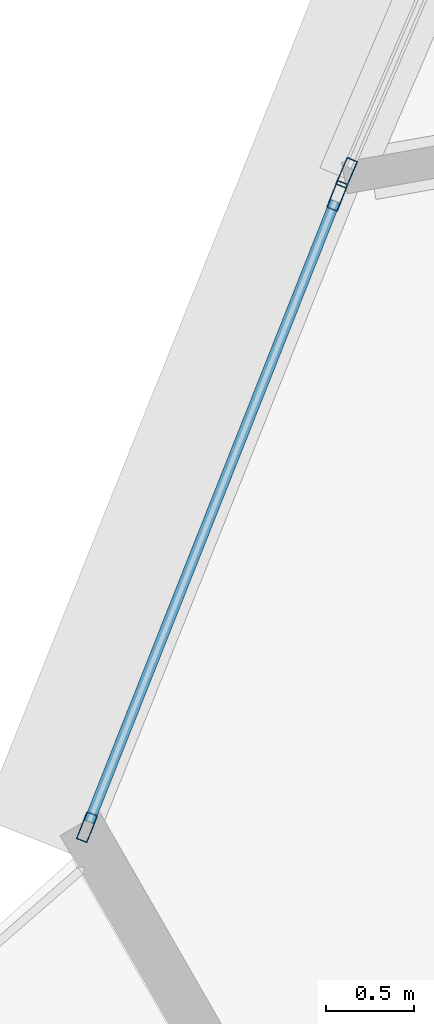
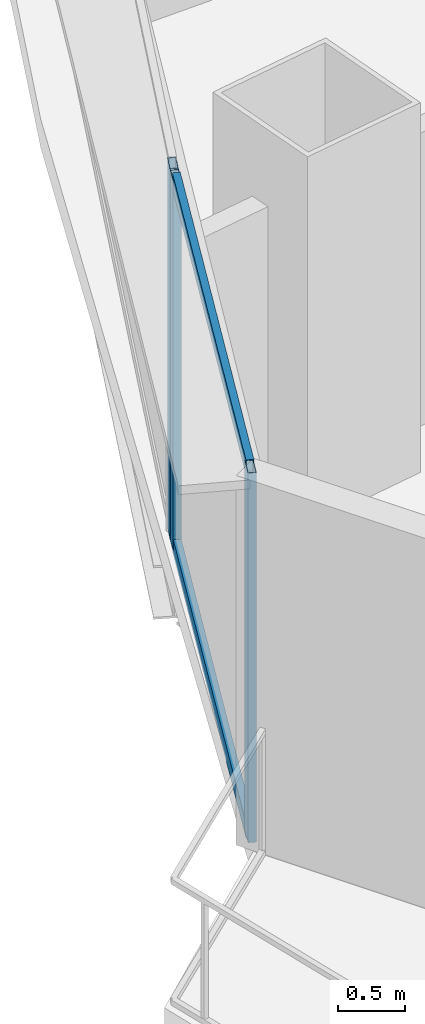
# One storey, part 4 of 37: 5 members, 2 elements without a shape of their own.
"""IFC4 building model written with IfcOpenShell, lengths in metres."""

from ifc_helpers import new_model, si_unit, direction, frame, origin, origin_2d, place, context, subcontext, project, spatial, hollow_rectangle, extrude, source, transform, mapped, material, layer, layer_set, material_profile, profile_set, type_object, element, aggregate, save


model = new_model("IFC4")

# Units and contexts
model_context = context("Model", 3, precision=1e-05, world=origin(), true_north=direction((0.0, 1.0)))
body_context = subcontext(model_context, "Body", "Model", "MODEL_VIEW")
ifc_project = project(units=[si_unit("LENGTHUNIT", "METRE"), si_unit("AREAUNIT", "SQUARE_METRE"), si_unit("VOLUMEUNIT", "CUBIC_METRE"), si_unit("PLANEANGLEUNIT", "RADIAN"), si_unit("MASSUNIT", "GRAM", prefix="KILO"), si_unit("THERMODYNAMICTEMPERATUREUNIT", "KELVIN"), si_unit("POWERUNIT", "WATT")], contexts=[model_context])

# Site, building, storey
site_placement = place(None, origin())
site = spatial("IfcSite", under=ifc_project, at=site_placement, CompositionType="ELEMENT")
building_placement = place(site_placement, origin())
building = spatial("IfcBuilding", under=site, at=building_placement, Name="Yunzhuo Pagoda Commons", CompositionType="ELEMENT")
storey_placement = place(building_placement, frame((0.0, 0.0, 55.81005859375)))
storey = spatial("IfcBuildingStorey", under=building, at=storey_placement, Name="L14", CompositionType="ELEMENT", Elevation=55.81005859375)

# Curtain wall, member
ifc_material = material(Name="Anodized aluminium 6063-T6", Category="aluminium")
ifc_layer = layer(ifc_material, 0.1650390625)
ifc_layer_set = layer_set([ifc_layer], Name="Anodized aluminium 6063-T6")
curtain_wall_type = type_object("IfcCurtainWallType", Name="CW-LOW Low-Zone Ribbon Curtain Wall", PredefinedType="NOTDEFINED", material=ifc_layer_set)
curtain_wall_1_placement = place(storey_placement, origin())
curtain_wall_1 = element("IfcCurtainWall", 1, at=curtain_wall_1_placement, inside=storey, type_object=curtain_wall_type, Name="L14 curtain wall CW-L14-F3B4", PredefinedType="NOTDEFINED")
ifc_material_profile_1 = material_profile(ifc_material, hollow_rectangle(XDim=0.06494140625, YDim=0.1650390625, WallThickness=0.00390625, at=origin_2d()), Name="Anodized aluminium 6063-T6")
ifc_profile_set_1 = profile_set([ifc_material_profile_1], Name="Anodized aluminium 6063-T6")
member_type_1 = type_object("IfcMemberType", Name="CW-LOW-M Mullion RHS 165x65x4", PredefinedType="MULLION", material=ifc_profile_set_1)
shared_shape_1 = source(origin(), body_context, "Body", "SweptSolid", [
    extrude(hollow_rectangle(XDim=0.06494140625, YDim=0.1650390625, WallThickness=0.00390625, at=origin_2d()), origin(), (0.0, 0.0, 1.0), 3.369873046875),
])
member_1_placement = place(storey_placement, frame((6.59228515625, 26.426513671875, 0.0), z_axis=(0.0, 0.0, 1.0), x_axis=(0.918993139703, -0.394273520769, 0.0)))
member_1 = element("IfcMember", 2, at=member_1_placement, type_object=member_type_1, Name="CW mullion 2", PredefinedType="MULLION", context=body_context, shape_type="MappedRepresentation", body=[
    mapped(shared_shape_1, transform((0.0, 0.0, 0.0), scale=1.0)),
])
aggregate(curtain_wall_1, [member_1])

# Curtain wall, members
curtain_wall_2_placement = place(storey_placement, origin())
curtain_wall_2 = element("IfcCurtainWall", 3, at=curtain_wall_2_placement, inside=storey, type_object=curtain_wall_type, Name="L14 curtain wall CW-L14-F3B5", PredefinedType="NOTDEFINED")
member_2_placement = place(storey_placement, frame((6.539794921875, 26.29638671875, 0.0), z_axis=(0.0, 0.0, 1.0), x_axis=(0.929582438104, -0.368614284542, 0.0)))
member_2 = element("IfcMember", 4, at=member_2_placement, type_object=member_type_1, Name="CW mullion 1", PredefinedType="MULLION", context=body_context, shape_type="MappedRepresentation", body=[
    mapped(shared_shape_1, transform((0.0, 0.0, 0.0), scale=1.0)),
])
member_3_placement = place(storey_placement, frame((5.123046875, 22.7236328125, 0.0), z_axis=(0.0, 0.0, 1.0), x_axis=(0.929582438104, -0.368614284542, 0.0)))
member_3 = element("IfcMember", 5, at=member_3_placement, type_object=member_type_1, Name="CW mullion 2", PredefinedType="MULLION", context=body_context, shape_type="MappedRepresentation", body=[
    mapped(shared_shape_1, transform((0.0, 0.0, 0.0), scale=1.0)),
])
ifc_material_profile_2 = material_profile(ifc_material, hollow_rectangle(XDim=0.06005859375, YDim=0.139892578125, WallThickness=0.00341796875, at=origin_2d()), Name="Anodized aluminium 6063-T6")
ifc_profile_set_2 = profile_set([ifc_material_profile_2], Name="Anodized aluminium 6063-T6")
member_type_2 = type_object("IfcMemberType", Name="CW-LOW-T Transom RHS 140x60x3.5", PredefinedType="USERDEFINED", material=ifc_profile_set_2)
shared_shape_2 = source(origin(), body_context, "Body", "SweptSolid", [
    extrude(hollow_rectangle(XDim=0.06005859375, YDim=0.139892578125, WallThickness=0.00341796875, at=origin_2d()), origin(), (0.0, 0.0, 1.0), 3.778564453125),
])
member_4_placement = place(storey_placement, frame((6.52783203125, 26.266357421875, 0.030029296875), z_axis=(-0.368615131288, -0.929582102337, 0.0), x_axis=(0.929582102337, -0.368615131288, 0.0)))
member_4 = element("IfcMember", 6, at=member_4_placement, type_object=member_type_2, Name="CW transom 1.1", ObjectType="TRANSOM", PredefinedType="USERDEFINED", context=body_context, shape_type="MappedRepresentation", body=[
    mapped(shared_shape_2, transform((0.0, 0.0, 0.0), scale=1.0)),
])
member_5_placement = place(storey_placement, frame((6.52783203125, 26.266357421875, 3.33984375), z_axis=(-0.368615131288, -0.929582102337, 0.0), x_axis=(0.929582102337, -0.368615131288, 0.0)))
member_5 = element("IfcMember", 7, at=member_5_placement, type_object=member_type_2, Name="CW transom 1.2", ObjectType="TRANSOM", PredefinedType="USERDEFINED", context=body_context, shape_type="MappedRepresentation", body=[
    mapped(shared_shape_2, transform((0.0, 0.0, 0.0), scale=1.0)),
])
aggregate(curtain_wall_2, [member_2, member_3, member_4, member_5])

save(model, "model.ifc")
